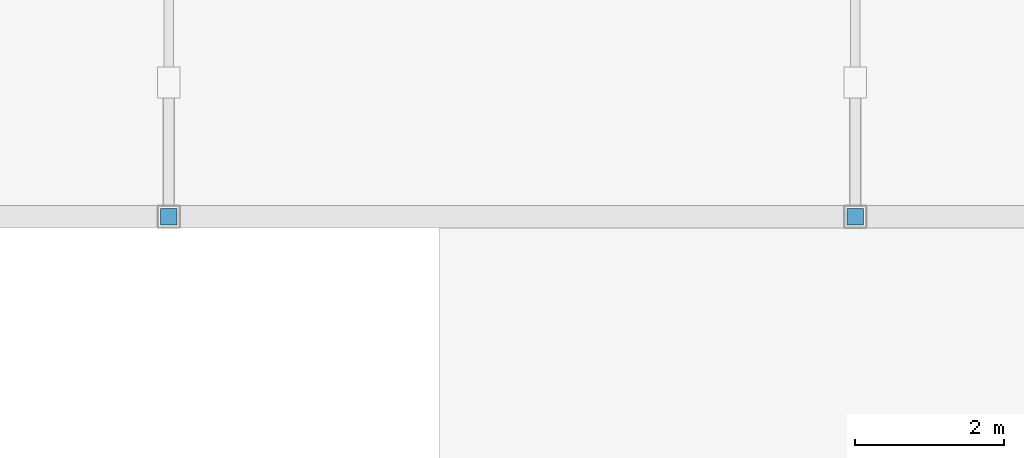
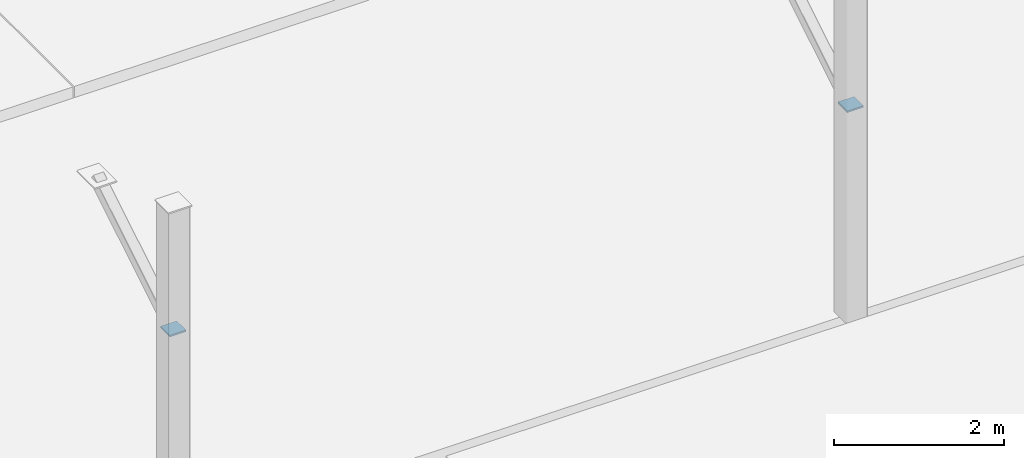
# One storey, part 75 of 97: 2 discrete accessories.
"""IFC4 building model written with IfcOpenShell, lengths in metres."""

from ifc_helpers import new_model, si_unit, direction, frame, origin, origin_2d, place, context, subcontext, project, spatial, rectangle, extrude, material, layer, layer_set, type_object, element, save


model = new_model("IFC4")

# Units and contexts
model_context = context("Model", 3, precision=1e-05, world=origin(), true_north=direction((0.0, 1.0)))
body_context = subcontext(model_context, "Body", "Model", "MODEL_VIEW")
ifc_project = project(units=[si_unit("LENGTHUNIT", "METRE"), si_unit("AREAUNIT", "SQUARE_METRE"), si_unit("VOLUMEUNIT", "CUBIC_METRE"), si_unit("PLANEANGLEUNIT", "RADIAN"), si_unit("MASSUNIT", "GRAM", prefix="KILO")], contexts=[model_context])

# Site, building, storey
site_placement = place(None, origin())
site = spatial("IfcSite", under=ifc_project, at=site_placement, CompositionType="ELEMENT")
building_placement = place(site_placement, origin())
building = spatial("IfcBuilding", under=site, at=building_placement, Name="Kisaragi Civic Commons", CompositionType="ELEMENT")
storey_placement = place(building_placement, origin())
storey = spatial("IfcBuildingStorey", under=building, at=storey_placement, Name="L00", CompositionType="ELEMENT", Elevation=0.0)

# Discrete accessories
ifc_material = material(Name="Steel SN490 (SN490B)", Category="steel")
ifc_layer = layer(ifc_material, 0.02392578125, Name="Steel SN490 (SN490B)", Category="steel")
ifc_layer_set = layer_set([ifc_layer], Name="Steel SN490 (SN490B)")
discrete_accessory_type = type_object("IfcDiscreteAccessoryType", Name="CN-01", PredefinedType="SHOE", material=ifc_layer_set)
for number, where, z_axis, x_axis, name in (
    (1, (54.39990234375, 8.39990234375, 2.988037109375), (0.0, 0.0, 1.0), (1.0, 0.0, 0.0), "Brace/strut steel end connection 18"),
    (2, (63.60009765625, 8.39990234375, 2.988037109375), (0.0, 0.0, 1.0), (1.0, 0.0, 0.0), "Brace/strut steel end connection 19"),
):
    element("IfcDiscreteAccessory", number, at=place(storey_placement, frame(where, z_axis=z_axis, x_axis=x_axis)), inside=storey, type_object=discrete_accessory_type, Name=name, PredefinedType="SHOE", context=body_context, shape_type="SweptSolid", body=[
        extrude(rectangle(XDim=0.219970703125, YDim=0.219970703125, at=origin_2d()), origin(), (0.0, 0.0, 1.0), 0.02392578125),
    ])

save(model, "model.ifc")
